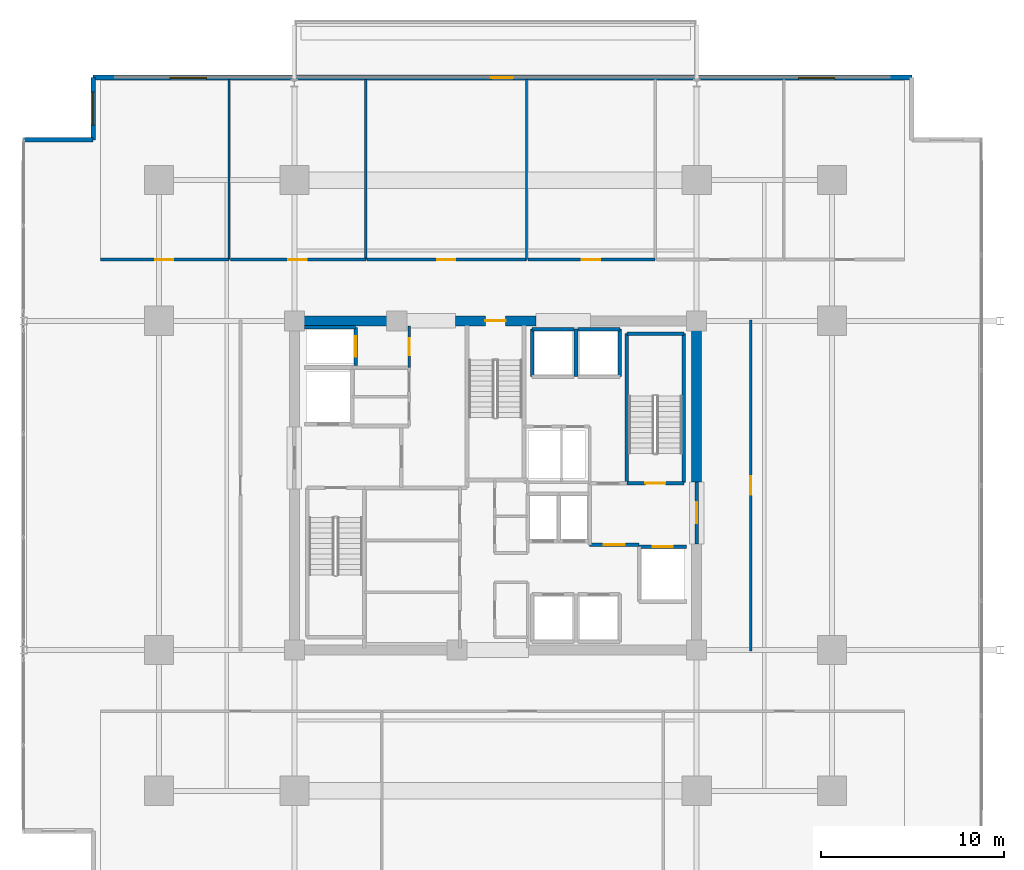
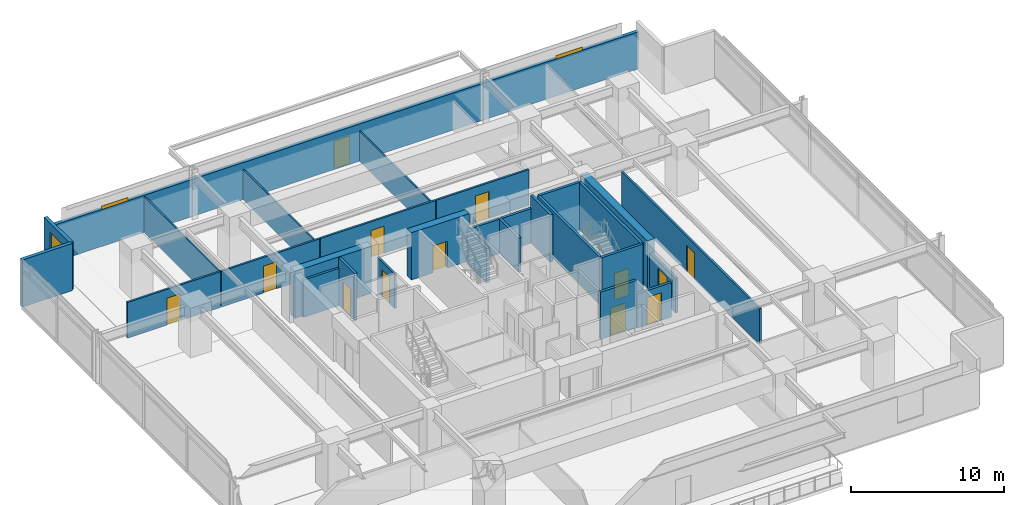
# One storey, part 17 of 23: 29 walls, 13 doors, 3 windows, 16 openings.
"""IFC4 building model written with IfcOpenShell, lengths in metres."""

from ifc_helpers import new_model, si_unit, direction, frame, frame_2d, origin, place, context, subcontext, project, spatial, rectangle, extrude, material, layer, layer_set, type_object, element, fill, save


model = new_model("IFC4")

# Units and contexts
model_context = context("Model", 3, precision=1e-05, world=origin(), true_north=direction((0.0, 1.0)))
body_context = subcontext(model_context, "Body", "Model", "MODEL_VIEW")
ifc_project = project(units=[si_unit("LENGTHUNIT", "METRE"), si_unit("AREAUNIT", "SQUARE_METRE"), si_unit("VOLUMEUNIT", "CUBIC_METRE"), si_unit("PLANEANGLEUNIT", "RADIAN"), si_unit("MASSUNIT", "GRAM", prefix="KILO")], contexts=[model_context])

# Site, building, storey
site_placement = place(None, origin())
site = spatial("IfcSite", under=ifc_project, at=site_placement, CompositionType="ELEMENT")
building_placement = place(site_placement, origin())
building = spatial("IfcBuilding", under=site, at=building_placement, Name="Kovane Verandah Tower", CompositionType="ELEMENT")
storey_placement = place(building_placement, frame((0.0, 0.0, 148.39990234375)))
storey = spatial("IfcBuildingStorey", under=building, at=storey_placement, Name="L34", CompositionType="ELEMENT", Elevation=148.39990234375)

# Wall, opening, door
ifc_material_1 = material(Name="Fire-Rated Gypsum Stud Partition", Category="gypsum")
ifc_layer_1 = layer(ifc_material_1, 0.14990234375)
ifc_layer_set_1 = layer_set([ifc_layer_1], Name="Fire-Rated Gypsum Stud Partition")
wall_type_1 = type_object("IfcWallType", Name="WL-COR-150", PredefinedType="PARTITIONING", material=ifc_layer_set_1)
wall_1_placement = place(storey_placement, frame((35.280029296875, 33.949951171875, 0.0), z_axis=(0.0, 0.0, 1.0), x_axis=(0.0, 1.0, 0.0)))
wall_1 = element("IfcWall", 1, at=wall_1_placement, inside=storey, type_object=wall_type_1, Name="L34 Goods Lift Lobby East Fire Partition", PredefinedType="PARTITIONING", context=body_context, shape_type="SweptSolid", body=[
    extrude(rectangle(XDim=2.27001953125, YDim=0.14990234375, at=frame_2d((1.135009765625, 0.0))), origin(), (0.0, 0.0, 1.0), 2.755126953125),
])
opening_1_placement = place(wall_1_placement, frame((0.659912109375, 0.0, 0.0)))
opening_1 = element("IfcOpeningElement", 2, at=opening_1_placement, cuts=wall_1, Name="Opening DR-L34-008", PredefinedType="OPENING", context=body_context, shape_type="SweptSolid", body=[
    extrude(rectangle(XDim=0.949951171875, YDim=2.14990234375, at=frame_2d((0.47509765625, 1.074951171875))), frame((0.0, 0.074951171875, 0.0), z_axis=(0.0, -1.0, 0.0), x_axis=(1.0, 0.0, 0.0)), (0.0, 0.0, 1.0), 0.14990234375),
])
ifc_material_2 = material(Name="Fire-Rated Steel Refuge and Lobby Door", Category="steel")
door_type_1 = type_object("IfcDoorType", Name="DR-FIRE-950", OperationType="SINGLE_SWING_LEFT", PredefinedType="DOOR", material=ifc_material_2)
door_1_placement = place(opening_1_placement, origin())
door_1 = element("IfcDoor", 3, at=door_1_placement, inside=storey, type_object=door_type_1, Name="L34 Goods Lift Lobby Fire Door", OperationType="SINGLE_SWING_LEFT", OverallHeight=2.14990234375, OverallWidth=0.949951171875, PredefinedType="DOOR", context=body_context, shape_type="SweptSolid", body=[
    extrude(rectangle(XDim=0.949951171875, YDim=2.14990234375, at=frame_2d((0.47509765625, 1.074951171875))), frame((0.0, 0.02490234375, 0.0), z_axis=(0.0, -1.0, 0.0), x_axis=(1.0, 0.0, 0.0)), (0.0, 0.0, 1.0), 0.050048828125),
])
fill(opening_1, door_1)

wall_2_placement = place(storey_placement, frame((18.394775390625, 39.85009765625, 0.0), z_axis=(0.0, 0.0, 1.0), x_axis=(1.0, 0.0, 0.0)))
wall_2 = element("IfcWall", 4, at=wall_2_placement, inside=storey, type_object=wall_type_1, Name="L34 Meeting Room N1 Corridor Partition", PredefinedType="PARTITIONING", context=body_context, shape_type="SweptSolid", body=[
    extrude(rectangle(XDim=7.034912109375, YDim=0.14990234375, at=frame_2d((3.517578125, 0.0))), origin(), (0.0, 0.0, 1.0), 2.85009765625),
])
opening_2_placement = place(wall_2_placement, frame((2.982421875, 0.0, 0.0)))
opening_2 = element("IfcOpeningElement", 5, at=opening_2_placement, cuts=wall_2, Name="Opening DR-L34-019", PredefinedType="OPENING", context=body_context, shape_type="SweptSolid", body=[
    extrude(rectangle(XDim=1.0, YDim=2.14990234375, at=frame_2d((0.5, 1.074951171875))), frame((0.0, 0.074951171875, 0.0), z_axis=(0.0, -1.0, 0.0), x_axis=(1.0, 0.0, 0.0)), (0.0, 0.0, 1.0), 0.14990234375),
])
ifc_material_3 = material(Name="FSC Spotted-Gum Timber Fire-Rated Office Door", Category="wood")
door_type_2 = type_object("IfcDoorType", Name="DR-OFF-1000", OperationType="SINGLE_SWING_LEFT", PredefinedType="DOOR", material=ifc_material_3)
door_2_placement = place(opening_2_placement, origin())
door_2 = element("IfcDoor", 6, at=door_2_placement, inside=storey, type_object=door_type_2, Name="L34 Meeting Room N1 Entrance Door", OperationType="SINGLE_SWING_LEFT", OverallHeight=2.14990234375, OverallWidth=1.0, PredefinedType="DOOR", context=body_context, shape_type="SweptSolid", body=[
    extrude(rectangle(XDim=1.0, YDim=2.14990234375, at=frame_2d((0.5, 1.074951171875))), frame((0.0, 0.02490234375, 0.0), z_axis=(0.0, -1.0, 0.0), x_axis=(1.0, 0.0, 0.0)), (0.0, 0.0, 1.0), 0.050048828125),
])
fill(opening_2, door_2)

wall_3_placement = place(storey_placement, frame((25.499755859375, 39.85009765625, 0.0), z_axis=(0.0, 0.0, 1.0), x_axis=(1.0, 0.0, 0.0)))
wall_3 = element("IfcWall", 7, at=wall_3_placement, inside=storey, type_object=wall_type_1, Name="L34 Focus Studio N2 Corridor Partition", PredefinedType="PARTITIONING", context=body_context, shape_type="SweptSolid", body=[
    extrude(rectangle(XDim=7.40478515625, YDim=0.14990234375, at=frame_2d((3.702392578125, 0.0))), origin(), (0.0, 0.0, 1.0), 2.85009765625),
])
opening_3_placement = place(wall_3_placement, frame((3.167236328125, 0.0, 0.0)))
opening_3 = element("IfcOpeningElement", 8, at=opening_3_placement, cuts=wall_3, Name="Opening DR-L34-020", PredefinedType="OPENING", context=body_context, shape_type="SweptSolid", body=[
    extrude(rectangle(XDim=1.0, YDim=2.14990234375, at=frame_2d((0.5, 1.074951171875))), frame((0.0, 0.074951171875, 0.0), z_axis=(0.0, -1.0, 0.0), x_axis=(1.0, 0.0, 0.0)), (0.0, 0.0, 1.0), 0.14990234375),
])
door_3_placement = place(opening_3_placement, origin())
door_3 = element("IfcDoor", 9, at=door_3_placement, inside=storey, type_object=door_type_2, Name="L34 Focus Studio N2 Entrance Door", OperationType="SINGLE_SWING_RIGHT", OverallHeight=2.14990234375, OverallWidth=1.0, PredefinedType="DOOR", context=body_context, shape_type="SweptSolid", body=[
    extrude(rectangle(XDim=1.0, YDim=2.14990234375, at=frame_2d((0.5, 1.074951171875))), frame((0.0, 0.02490234375, 0.0), z_axis=(0.0, -1.0, 0.0), x_axis=(1.0, 0.0, 0.0)), (0.0, 0.0, 1.0), 0.050048828125),
])
fill(opening_3, door_3)

wall_4_placement = place(storey_placement, frame((32.974609375, 39.85009765625, 0.0), z_axis=(0.0, 0.0, 1.0), x_axis=(1.0, 0.0, 0.0)))
wall_4 = element("IfcWall", 10, at=wall_4_placement, inside=storey, type_object=wall_type_1, Name="L34 Breakout Pantry N3 Corridor Partition", PredefinedType="PARTITIONING", context=body_context, shape_type="SweptSolid", body=[
    extrude(rectangle(XDim=8.7236328125, YDim=0.14990234375, at=frame_2d((4.36181640625, 0.0))), origin(), (0.0, 0.0, 1.0), 2.85009765625),
])
opening_4_placement = place(wall_4_placement, frame((3.826904296875, 0.0, 0.0)))
opening_4 = element("IfcOpeningElement", 11, at=opening_4_placement, cuts=wall_4, Name="Opening DR-L34-021", PredefinedType="OPENING", context=body_context, shape_type="SweptSolid", body=[
    extrude(rectangle(XDim=1.0, YDim=2.14990234375, at=frame_2d((0.5, 1.074951171875))), frame((0.0, 0.074951171875, 0.0), z_axis=(0.0, -1.0, 0.0), x_axis=(1.0, 0.0, 0.0)), (0.0, 0.0, 1.0), 0.14990234375),
])
door_4_placement = place(opening_4_placement, origin())
door_4 = element("IfcDoor", 12, at=door_4_placement, inside=storey, type_object=door_type_2, Name="L34 Breakout Pantry N3 Entrance Door", OperationType="SINGLE_SWING_LEFT", OverallHeight=2.14990234375, OverallWidth=1.0, PredefinedType="DOOR", context=body_context, shape_type="SweptSolid", body=[
    extrude(rectangle(XDim=1.0, YDim=2.14990234375, at=frame_2d((0.5, 1.074951171875))), frame((0.0, 0.02490234375, 0.0), z_axis=(0.0, -1.0, 0.0), x_axis=(1.0, 0.0, 0.0)), (0.0, 0.0, 1.0), 0.050048828125),
])
fill(opening_4, door_4)

wall_5_placement = place(storey_placement, frame((41.768310546875, 39.85009765625, 0.0), z_axis=(0.0, 0.0, 1.0), x_axis=(1.0, 0.0, 0.0)))
wall_5 = element("IfcWall", 13, at=wall_5_placement, inside=storey, type_object=wall_type_1, Name="L34 Collaboration Hub N4 Corridor Partition", PredefinedType="PARTITIONING", context=body_context, shape_type="SweptSolid", body=[
    extrude(rectangle(XDim=6.96484375, YDim=0.14990234375, at=frame_2d((3.482421875, 0.0))), origin(), (0.0, 0.0, 1.0), 2.85009765625),
])
opening_5_placement = place(wall_5_placement, frame((2.947509765625, 0.0, 0.0)))
opening_5 = element("IfcOpeningElement", 14, at=opening_5_placement, cuts=wall_5, Name="Opening DR-L34-022", PredefinedType="OPENING", context=body_context, shape_type="SweptSolid", body=[
    extrude(rectangle(XDim=1.0, YDim=2.14990234375, at=frame_2d((0.5, 1.074951171875))), frame((0.0, 0.074951171875, 0.0), z_axis=(0.0, -1.0, 0.0), x_axis=(1.0, 0.0, 0.0)), (0.0, 0.0, 1.0), 0.14990234375),
])
door_5_placement = place(opening_5_placement, origin())
door_5 = element("IfcDoor", 15, at=door_5_placement, inside=storey, type_object=door_type_2, Name="L34 Collaboration Hub N4 Entrance Door", OperationType="SINGLE_SWING_RIGHT", OverallHeight=2.14990234375, OverallWidth=1.0, PredefinedType="DOOR", context=body_context, shape_type="SweptSolid", body=[
    extrude(rectangle(XDim=1.0, YDim=2.14990234375, at=frame_2d((0.5, 1.074951171875))), frame((0.0, 0.02490234375, 0.0), z_axis=(0.0, -1.0, 0.0), x_axis=(1.0, 0.0, 0.0)), (0.0, 0.0, 1.0), 0.050048828125),
])
fill(opening_5, door_5)

wall_6_placement = place(storey_placement, frame((53.949951171875, 18.449951171875, 0.0), z_axis=(0.0, 0.0, 1.0), x_axis=(0.0, 1.0, 0.0)))
wall_6 = element("IfcWall", 16, at=wall_6_placement, inside=storey, type_object=wall_type_1, Name="L34 Breakout Pantry E1 Corridor Partition", PredefinedType="PARTITIONING", context=body_context, shape_type="SweptSolid", body=[
    extrude(rectangle(XDim=18.10009765625, YDim=0.14990234375, at=frame_2d((9.050048828125, 0.0))), origin(), (0.0, 0.0, 1.0), 2.85009765625),
])
opening_6_placement = place(wall_6_placement, frame((8.550048828125, 0.0, 0.0)))
opening_6 = element("IfcOpeningElement", 17, at=opening_6_placement, cuts=wall_6, Name="Opening DR-L34-013", PredefinedType="OPENING", context=body_context, shape_type="SweptSolid", body=[
    extrude(rectangle(XDim=1.0, YDim=2.14990234375, at=frame_2d((0.5, 1.074951171875))), frame((0.0, 0.074951171875, 0.0), z_axis=(0.0, -1.0, 0.0), x_axis=(1.0, 0.0, 0.0)), (0.0, 0.0, 1.0), 0.14990234375),
])
door_6_placement = place(opening_6_placement, origin())
door_6 = element("IfcDoor", 18, at=door_6_placement, inside=storey, type_object=door_type_2, Name="L34 Breakout Pantry E1 Entrance Door", OperationType="SINGLE_SWING_LEFT", OverallHeight=2.14990234375, OverallWidth=1.0, PredefinedType="DOOR", context=body_context, shape_type="SweptSolid", body=[
    extrude(rectangle(XDim=1.0, YDim=2.14990234375, at=frame_2d((0.5, 1.074951171875))), frame((0.0, 0.02490234375, 0.0), z_axis=(0.0, -1.0, 0.0), x_axis=(1.0, 0.0, 0.0)), (0.0, 0.0, 1.0), 0.050048828125),
])
fill(opening_6, door_6)

# Wall
ifc_material_4 = material(Name="Concrete C60/75", Category="concrete")
ifc_layer_2 = layer(ifc_material_4, 0.550048828125)
ifc_layer_set_2 = layer_set([ifc_layer_2], Name="Concrete C60/75")
wall_type_2 = type_object("IfcWallType", Name="WL-CORE-550", PredefinedType="SHEAR", material=ifc_layer_set_2)
wall_7_placement = place(storey_placement, frame((29.0, 36.5, 0.0), z_axis=(0.0, 0.0, 1.0), x_axis=(1.0, 0.0, 0.0)))
element("IfcWall", 19, at=wall_7_placement, inside=storey, type_object=wall_type_2, Name="L34 Core Shear Wall CN-1", PredefinedType="SHEAR", context=body_context, shape_type="SweptSolid", body=[
    extrude(rectangle(XDim=5.800048828125, YDim=0.550048828125, at=frame_2d((2.89990234375, 0.0))), origin(), (0.0, 0.0, 1.0), 3.775146484375),
])

# Wall, opening, door
wall_8_placement = place(storey_placement, frame((37.800048828125, 36.5, 0.0), z_axis=(0.0, 0.0, 1.0), x_axis=(1.0, 0.0, 0.0)))
wall_8 = element("IfcWall", 20, at=wall_8_placement, inside=storey, type_object=wall_type_2, Name="L34 Core Shear Wall CN-2", PredefinedType="SHEAR", context=body_context, shape_type="SweptSolid", body=[
    extrude(rectangle(XDim=4.39990234375, YDim=0.550048828125, at=frame_2d((2.199951171875, 0.0))), origin(), (0.0, 0.0, 1.0), 3.775146484375),
])
opening_7_placement = place(wall_8_placement, frame((1.64990234375, 0.0, 0.0)))
opening_7 = element("IfcOpeningElement", 21, at=opening_7_placement, cuts=wall_8, Name="Opening DR-L34-011", PredefinedType="OPENING", context=body_context, shape_type="SweptSolid", body=[
    extrude(rectangle(XDim=1.10009765625, YDim=2.14990234375, at=frame_2d((0.550048828125, 1.074951171875))), frame((0.0, 0.27490234375, 0.0), z_axis=(0.0, -1.0, 0.0), x_axis=(1.0, 0.0, 0.0)), (0.0, 0.0, 1.0), 0.550048828125),
])
ifc_material_5 = material(Name="Fire-Rated Steel Exit Door", Category="steel")
door_type_3 = type_object("IfcDoorType", Name="DR-STAIR-1100", OperationType="SINGLE_SWING_LEFT", PredefinedType="DOOR", material=ifc_material_5)
door_7_placement = place(opening_7_placement, origin())
door_7 = element("IfcDoor", 22, at=door_7_placement, inside=storey, type_object=door_type_3, Name="L34 ST-03 Fire Exit Stair Door", OperationType="SINGLE_SWING_LEFT", OverallHeight=2.14990234375, OverallWidth=1.10009765625, PredefinedType="DOOR", context=body_context, shape_type="SweptSolid", body=[
    extrude(rectangle(XDim=1.10009765625, YDim=2.14990234375, at=frame_2d((0.550048828125, 1.074951171875))), frame((0.0, 0.02490234375, 0.0), z_axis=(0.0, -1.0, 0.0), x_axis=(1.0, 0.0, 0.0)), (0.0, 0.0, 1.0), 0.050048828125),
])
fill(opening_7, door_7)

# Wall
wall_9_placement = place(storey_placement, frame((51.0, 27.699951171875, 0.0), z_axis=(0.0, 0.0, 1.0), x_axis=(0.0, 1.0, 0.0)))
element("IfcWall", 23, at=wall_9_placement, inside=storey, type_object=wall_type_2, Name="L34 Core Shear Wall CE-2", PredefinedType="SHEAR", context=body_context, shape_type="SweptSolid", body=[
    extrude(rectangle(XDim=8.800048828125, YDim=0.550048828125, at=frame_2d((4.39990234375, 0.0))), origin(), (0.0, 0.0, 1.0), 3.775146484375),
])

# Wall, opening, door
ifc_material_6 = material(Name="Concrete C45/55 Fire Wall", Category="concrete")
ifc_layer_3 = layer(ifc_material_6, 0.199951171875)
ifc_layer_set_3 = layer_set([ifc_layer_3], Name="Concrete C45/55 Fire Wall")
wall_type_3 = type_object("IfcWallType", Name="WL-FFL-200", PredefinedType="PARTITIONING", material=ifc_layer_set_3)
wall_10_placement = place(storey_placement, frame((45.14990234375, 24.25, 0.0), z_axis=(0.0, 0.0, 1.0), x_axis=(1.0, 0.0, 0.0)))
wall_10 = element("IfcWall", 24, at=wall_10_placement, inside=storey, type_object=wall_type_3, Name="W-L34-FFLE-S", PredefinedType="PARTITIONING", context=body_context, shape_type="SweptSolid", body=[
    extrude(rectangle(XDim=2.7001953125, YDim=0.199951171875, at=frame_2d((1.35009765625, 0.0))), origin(), (0.0, 0.0, 1.0), 3.775146484375),
])
opening_8_placement = place(wall_10_placement, frame((0.77490234375, 0.0, 0.0)))
opening_8 = element("IfcOpeningElement", 25, at=opening_8_placement, cuts=wall_10, Name="Opening DR-L34-003", PredefinedType="OPENING", context=body_context, shape_type="SweptSolid", body=[
    extrude(rectangle(XDim=1.14990234375, YDim=2.199951171875, at=frame_2d((0.574951171875, 1.10009765625))), frame((0.0, 0.10009765625, 0.0), z_axis=(0.0, -1.0, 0.0), x_axis=(1.0, 0.0, 0.0)), (0.0, 0.0, 1.0), 0.199951171875),
])
ifc_material_7 = material(Name="Smoke-Sealed Firefighting Lobby Door", Category="steel")
door_type_4 = type_object("IfcDoorType", Name="DR-FFL-1150", OperationType="SINGLE_SWING_LEFT", PredefinedType="DOOR", material=ifc_material_7)
door_8_placement = place(opening_8_placement, origin())
door_8 = element("IfcDoor", 26, at=door_8_placement, inside=storey, type_object=door_type_4, Name="L34 East Firefighting Lobby Inner Door", OperationType="SINGLE_SWING_RIGHT", OverallHeight=2.199951171875, OverallWidth=1.14990234375, PredefinedType="DOOR", context=body_context, shape_type="SweptSolid", body=[
    extrude(rectangle(XDim=1.14990234375, YDim=2.199951171875, at=frame_2d((0.574951171875, 1.10009765625))), frame((0.0, 0.02490234375, 0.0), z_axis=(0.0, -1.0, 0.0), x_axis=(1.0, 0.0, 0.0)), (0.0, 0.0, 1.0), 0.050048828125),
])
fill(opening_8, door_8)

wall_11_placement = place(storey_placement, frame((51.0, 24.300048828125, 0.0), z_axis=(0.0, 0.0, 1.0), x_axis=(0.0, 1.0, 0.0)))
wall_11 = element("IfcWall", 27, at=wall_11_placement, inside=storey, type_object=wall_type_3, Name="W-L34-FFLE-OUT", PredefinedType="PARTITIONING", context=body_context, shape_type="SweptSolid", body=[
    extrude(rectangle(XDim=3.39990234375, YDim=0.199951171875, at=frame_2d((1.699951171875, 0.0))), origin(), (0.0, 0.0, 1.0), 2.755126953125),
])
opening_9_placement = place(wall_11_placement, frame((1.125, 0.0, 0.0)))
opening_9 = element("IfcOpeningElement", 28, at=opening_9_placement, cuts=wall_11, Name="Opening DR-L34-005", PredefinedType="OPENING", context=body_context, shape_type="SweptSolid", body=[
    extrude(rectangle(XDim=1.14990234375, YDim=2.199951171875, at=frame_2d((0.574951171875, 1.10009765625))), frame((0.0, 0.10009765625, 0.0), z_axis=(0.0, -1.0, 0.0), x_axis=(1.0, 0.0, 0.0)), (0.0, 0.0, 1.0), 0.199951171875),
])
door_9_placement = place(opening_9_placement, origin())
door_9 = element("IfcDoor", 29, at=door_9_placement, inside=storey, type_object=door_type_4, Name="L34 East Firefighting Lobby Corridor Door", OperationType="SINGLE_SWING_LEFT", OverallHeight=2.199951171875, OverallWidth=1.14990234375, PredefinedType="DOOR", context=body_context, shape_type="SweptSolid", body=[
    extrude(rectangle(XDim=1.14990234375, YDim=2.199951171875, at=frame_2d((0.574951171875, 1.10009765625))), frame((0.0, 0.02490234375, 0.0), z_axis=(0.0, -1.0, 0.0), x_axis=(1.0, 0.0, 0.0)), (0.0, 0.0, 1.0), 0.050048828125),
])
fill(opening_9, door_9)

ifc_material_8 = material(Name="Concrete C45/55 Lift Shaft Wall", Category="concrete")
ifc_layer_4 = layer(ifc_material_8, 0.199951171875)
ifc_layer_set_4 = layer_set([ifc_layer_4], Name="Concrete C45/55 Lift Shaft Wall")
wall_type_4 = type_object("IfcWallType", Name="WL-LIFT-200", PredefinedType="SOLIDWALL", material=ifc_layer_set_4)
wall_12_placement = place(storey_placement, frame((50.449951171875, 24.14990234375, 0.0), z_axis=(0.0, 0.0, 1.0), x_axis=(-1.0, 0.0, 0.0)))
wall_12 = element("IfcWall", 30, at=wall_12_placement, inside=storey, type_object=wall_type_4, Name="L34 Lift FL-02 N Shaft Wall", PredefinedType="SOLIDWALL", context=body_context, shape_type="SweptSolid", body=[
    extrude(rectangle(XDim=2.599853515625, YDim=0.199951171875, at=frame_2d((1.2998046875, 0.0))), origin(), (0.0, 0.0, 1.0), 2.755126953125),
])
opening_10_placement = place(wall_12_placement, frame((0.75, 0.0, 0.0)))
opening_10 = element("IfcOpeningElement", 31, at=opening_10_placement, cuts=wall_12, Name="Opening LD-L34-002", PredefinedType="OPENING", context=body_context, shape_type="SweptSolid", body=[
    extrude(rectangle(XDim=1.10009765625, YDim=2.199951171875, at=frame_2d((0.550048828125, 1.10009765625))), frame((0.0, 0.10009765625, 0.0), z_axis=(0.0, -1.0, 0.0), x_axis=(1.0, 0.0, 0.0)), (0.0, 0.0, 1.0), 0.199951171875),
])
ifc_material_9 = material(Name="Brushed Stainless Steel Sliding Lift Landing Door", Category="steel")
door_type_5 = type_object("IfcDoorType", Name="DR-LIFT-1100", OperationType="SLIDING_TO_RIGHT", PredefinedType="DOOR", material=ifc_material_9)
door_10_placement = place(opening_10_placement, origin())
door_10 = element("IfcDoor", 32, at=door_10_placement, inside=storey, type_object=door_type_5, Name="L34 Lift FL-02 Sliding Landing Door", OperationType="SLIDING_TO_RIGHT", OverallHeight=2.199951171875, OverallWidth=1.10009765625, PredefinedType="DOOR", context=body_context, shape_type="SweptSolid", body=[
    extrude(rectangle(XDim=1.10009765625, YDim=2.199951171875, at=frame_2d((0.550048828125, 1.10009765625))), frame((0.0, 0.02490234375, 0.0), z_axis=(0.0, -1.0, 0.0), x_axis=(1.0, 0.0, 0.0)), (0.0, 0.0, 1.0), 0.050048828125),
])
fill(opening_10, door_10)

# Wall
wall_13_placement = place(storey_placement, frame((32.35009765625, 36.14990234375, 0.0), z_axis=(0.0, 0.0, 1.0), x_axis=(-1.0, 0.0, 0.0)))
element("IfcWall", 33, at=wall_13_placement, inside=storey, type_object=wall_type_4, Name="L34 Lift GL-01 N Shaft Wall", PredefinedType="SOLIDWALL", context=body_context, shape_type="SweptSolid", body=[
    extrude(rectangle(XDim=2.800048828125, YDim=0.199951171875, at=frame_2d((1.39990234375, 0.0))), origin(), (0.0, 0.0, 1.0), 2.9853515625),
])

# Wall, opening, door
wall_14_placement = place(storey_placement, frame((32.35009765625, 34.050048828125, 0.0), z_axis=(0.0, 0.0, 1.0), x_axis=(0.0, 1.0, 0.0)))
wall_14 = element("IfcWall", 34, at=wall_14_placement, inside=storey, type_object=wall_type_4, Name="L34 Lift GL-01 E Shaft Wall", PredefinedType="SOLIDWALL", context=body_context, shape_type="SweptSolid", body=[
    extrude(rectangle(XDim=2.099853515625, YDim=0.199951171875, at=frame_2d((1.0498046875, 0.0))), origin(), (0.0, 0.0, 1.0), 3.775146484375),
])
opening_11_placement = place(wall_14_placement, frame((0.5, 0.0, 0.0)))
opening_11 = element("IfcOpeningElement", 35, at=opening_11_placement, cuts=wall_14, Name="Opening LD-L34-003", PredefinedType="OPENING", context=body_context, shape_type="SweptSolid", body=[
    extrude(rectangle(XDim=1.10009765625, YDim=2.199951171875, at=frame_2d((0.550048828125, 1.10009765625))), frame((0.0, 0.10009765625, 0.0), z_axis=(0.0, -1.0, 0.0), x_axis=(1.0, 0.0, 0.0)), (0.0, 0.0, 1.0), 0.199951171875),
])
door_11_placement = place(opening_11_placement, origin())
door_11 = element("IfcDoor", 36, at=door_11_placement, inside=storey, type_object=door_type_5, Name="L34 Lift GL-01 Sliding Landing Door", OperationType="SLIDING_TO_RIGHT", OverallHeight=2.199951171875, OverallWidth=1.10009765625, PredefinedType="DOOR", context=body_context, shape_type="SweptSolid", body=[
    extrude(rectangle(XDim=1.10009765625, YDim=2.199951171875, at=frame_2d((0.550048828125, 1.10009765625))), frame((0.0, 0.02490234375, 0.0), z_axis=(0.0, -1.0, 0.0), x_axis=(1.0, 0.0, 0.0)), (0.0, 0.0, 1.0), 0.050048828125),
])
fill(opening_11, door_11)

# Walls
wall_15_placement = place(storey_placement, frame((44.300048828125, 36.050048828125, 0.0), z_axis=(0.0, 0.0, 1.0), x_axis=(-1.0, 0.0, 0.0)))
element("IfcWall", 37, at=wall_15_placement, inside=storey, type_object=wall_type_4, Name="L34 Lift SL-01 N Shaft Wall", PredefinedType="SOLIDWALL", context=body_context, shape_type="SweptSolid", body=[
    extrude(rectangle(XDim=2.300048828125, YDim=0.199951171875, at=frame_2d((1.14990234375, 0.0))), origin(), (0.0, 0.0, 1.0), 2.755126953125),
])
for number, where, z_axis, x_axis, name in (
    (38, (42.0, 36.050048828125, 0.0), (0.0, 0.0, 1.0), (0.0, -1.0, 0.0), "L34 Lift SL-01 W Shaft Wall"),
    (39, (44.39990234375, 33.449951171875, 0.0), (0.0, 0.0, 1.0), (0.0, 1.0, 0.0), "L34 Lift OL-01 and SL-01 Shared Shaft Wall"),
):
    element("IfcWall", number, at=place(storey_placement, frame(where, z_axis=z_axis, x_axis=x_axis)), inside=storey, type_object=wall_type_4, Name=name, PredefinedType="SOLIDWALL", context=body_context, shape_type="SweptSolid", body=[
        extrude(rectangle(XDim=2.60009765625, YDim=0.199951171875, at=frame_2d((1.300048828125, 0.0))), origin(), (0.0, 0.0, 1.0), 2.755126953125),
    ])
wall_16_placement = place(storey_placement, frame((46.800048828125, 36.050048828125, 0.0), z_axis=(0.0, 0.0, 1.0), x_axis=(-1.0, 0.0, 0.0)))
element("IfcWall", 40, at=wall_16_placement, inside=storey, type_object=wall_type_4, Name="L34 Lift OL-01 N Shaft Wall", PredefinedType="SOLIDWALL", context=body_context, shape_type="SweptSolid", body=[
    extrude(rectangle(XDim=2.300048828125, YDim=0.199951171875, at=frame_2d((1.14990234375, 0.0))), origin(), (0.0, 0.0, 1.0), 2.755126953125),
])
wall_17_placement = place(storey_placement, frame((46.800048828125, 33.449951171875, 0.0), z_axis=(0.0, 0.0, 1.0), x_axis=(0.0, 1.0, 0.0)))
element("IfcWall", 41, at=wall_17_placement, inside=storey, type_object=wall_type_4, Name="L34 Lift OL-01 E Shaft Wall", PredefinedType="SOLIDWALL", context=body_context, shape_type="SweptSolid", body=[
    extrude(rectangle(XDim=2.60009765625, YDim=0.199951171875, at=frame_2d((1.300048828125, 0.0))), origin(), (0.0, 0.0, 1.0), 3.775146484375),
])
ifc_material_10 = material(Name="Acoustic Fire-Rated Gypsum Partition", Category="gypsum")
ifc_layer_5 = layer(ifc_material_10, 0.1201171875)
ifc_layer_set_5 = layer_set([ifc_layer_5], Name="Acoustic Fire-Rated Gypsum Partition")
wall_type_5 = type_object("IfcWallType", Name="WL-PART-120", PredefinedType="PARTITIONING", material=ifc_layer_set_5)
wall_18_placement = place(storey_placement, frame((25.4296875, 39.85009765625, 0.0), z_axis=(0.0, 0.0, 1.0), x_axis=(0.0, 1.0, 0.0)))
element("IfcWall", 42, at=wall_18_placement, inside=storey, type_object=wall_type_5, Name="L34 Meeting Room N1 Dividing Partition", PredefinedType="PARTITIONING", context=body_context, shape_type="SweptSolid", body=[
    extrude(rectangle(XDim=9.853515625, YDim=0.1201171875, at=frame_2d((4.9267578125, 0.0))), origin(), (0.0, 0.0, 1.0), 2.85009765625),
])
for number, where, z_axis, x_axis, name in (
    (43, (32.904541015625, 39.85009765625, 0.0), (0.0, 0.0, 1.0), (0.0, 1.0, 0.0), "L34 Focus Studio N2 Dividing Partition"),
    (44, (41.6982421875, 39.85009765625, 0.0), (0.0, 0.0, 1.0), (0.0, 1.0, 0.0), "L34 Breakout Pantry N3 Dividing Partition"),
):
    element("IfcWall", number, at=place(storey_placement, frame(where, z_axis=z_axis, x_axis=x_axis)), inside=storey, type_object=wall_type_5, Name=name, PredefinedType="PARTITIONING", context=body_context, shape_type="SweptSolid", body=[
        extrude(rectangle(XDim=9.853515625, YDim=0.1201171875, at=frame_2d((4.9267578125, 0.0))), origin(), (0.0, 0.0, 1.0), 2.405029296875),
    ])
ifc_material_11 = material(Name="Concrete C45/55", Category="concrete")
ifc_layer_6 = layer(ifc_material_11, 0.199951171875)
ifc_layer_set_6 = layer_set([ifc_layer_6], Name="Concrete C45/55")
wall_type_6 = type_object("IfcWallType", Name="WL-SHAFT-200", PredefinedType="SOLIDWALL", material=ifc_layer_set_6)
wall_19_placement = place(storey_placement, frame((50.300048828125, 27.64990234375, 0.0), z_axis=(0.0, 0.0, 1.0), x_axis=(0.0, 1.0, 0.0)))
element("IfcWall", 45, at=wall_19_placement, inside=storey, type_object=wall_type_6, Name="W-L34-ST02-E", PredefinedType="SOLIDWALL", context=body_context, shape_type="SweptSolid", body=[
    extrude(rectangle(XDim=8.150146484375, YDim=0.199951171875, at=frame_2d((4.0751953125, 0.0))), origin(), (0.0, 0.0, 1.0), 3.775146484375),
])
wall_20_placement = place(storey_placement, frame((47.179931640625, 35.800048828125, 0.0), z_axis=(0.0, 0.0, 1.0), x_axis=(1.0, 0.0, 0.0)))
element("IfcWall", 46, at=wall_20_placement, inside=storey, type_object=wall_type_6, Name="W-L34-ST02-N", PredefinedType="SOLIDWALL", context=body_context, shape_type="SweptSolid", body=[
    extrude(rectangle(XDim=3.1201171875, YDim=0.199951171875, at=frame_2d((1.56005859375, 0.0))), origin(), (0.0, 0.0, 1.0), 3.775146484375),
])
wall_21_placement = place(storey_placement, frame((47.179931640625, 27.6201171875, 0.0), z_axis=(0.0, 0.0, 1.0), x_axis=(0.0, 1.0, 0.0)))
element("IfcWall", 47, at=wall_21_placement, inside=storey, type_object=wall_type_6, Name="W-L34-ST02-W", PredefinedType="SOLIDWALL", context=body_context, shape_type="SweptSolid", body=[
    extrude(rectangle(XDim=8.179931640625, YDim=0.199951171875, at=frame_2d((4.08984375, 0.0))), origin(), (0.0, 0.0, 1.0), 3.775146484375),
])

# Wall, opening, door
wall_22_placement = place(storey_placement, frame((47.179931640625, 27.6201171875, 0.0), z_axis=(0.0, 0.0, 1.0), x_axis=(1.0, 0.0, 0.0)))
wall_22 = element("IfcWall", 48, at=wall_22_placement, inside=storey, type_object=wall_type_6, Name="W-L34-ST02-S", PredefinedType="SOLIDWALL", context=body_context, shape_type="SweptSolid", body=[
    extrude(rectangle(XDim=3.1201171875, YDim=0.199951171875, at=frame_2d((1.56005859375, 0.0))), origin(), (0.0, 0.0, 1.0), 3.775146484375),
])
opening_12_placement = place(wall_22_placement, frame((1.010009765625, 0.0, 0.0)))
opening_12 = element("IfcOpeningElement", 49, at=opening_12_placement, cuts=wall_22, Name="Opening DR-L34-010", PredefinedType="OPENING", context=body_context, shape_type="SweptSolid", body=[
    extrude(rectangle(XDim=1.10009765625, YDim=2.14990234375, at=frame_2d((0.550048828125, 1.074951171875))), frame((0.0, 0.10009765625, 0.0), z_axis=(0.0, -1.0, 0.0), x_axis=(1.0, 0.0, 0.0)), (0.0, 0.0, 1.0), 0.199951171875),
])
door_12_placement = place(opening_12_placement, origin())
door_12 = element("IfcDoor", 50, at=door_12_placement, inside=storey, type_object=door_type_3, Name="L34 ST-02 Fire Exit Stair Door", OperationType="SINGLE_SWING_RIGHT", OverallHeight=2.14990234375, OverallWidth=1.10009765625, PredefinedType="DOOR", context=body_context, shape_type="SweptSolid", body=[
    extrude(rectangle(XDim=1.10009765625, YDim=2.14990234375, at=frame_2d((0.550048828125, 1.074951171875))), frame((0.0, 0.02490234375, 0.0), z_axis=(0.0, -1.0, 0.0), x_axis=(1.0, 0.0, 0.0)), (0.0, 0.0, 1.0), 0.050048828125),
])
fill(opening_12, door_12)

# Wall, openings, door, windows
ifc_material_12 = material(Name="Concrete C45/55 Insulated Spandrel Wall", Category="concrete")
ifc_layer_7 = layer(ifc_material_12, 0.260009765625)
ifc_layer_set_7 = layer_set([ifc_layer_7], Name="Concrete C45/55 Insulated Spandrel Wall")
wall_type_7 = type_object("IfcWallType", Name="WL-SPANDREL-260", PredefinedType="PARAPET", material=ifc_layer_set_7)
wall_23_placement = place(storey_placement, frame((62.763427734375, 49.8037109375, 0.0), z_axis=(0.0, 0.0, 1.0), x_axis=(-1.0, 0.0, 0.0)))
wall_23 = element("IfcWall", 51, at=wall_23_placement, inside=storey, type_object=wall_type_7, Name="L34 N Verandah Access Facade Wall", PredefinedType="PARAPET", context=body_context, shape_type="SweptSolid", body=[
    extrude(rectangle(XDim=44.7685546875, YDim=0.260009765625, at=frame_2d((22.38427734375, 0.0))), origin(), (0.0, 0.0, 1.0), 2.97021484375),
])
opening_13_placement = place(wall_23_placement, frame((4.199951171875, 0.0, 0.85009765625)))
opening_13 = element("IfcOpeningElement", 52, at=opening_13_placement, cuts=wall_23, Name="Opening W-04", PredefinedType="OPENING", context=body_context, shape_type="SweptSolid", body=[
    extrude(rectangle(XDim=2.0, YDim=2.300048828125, at=frame_2d((1.0, 1.14990234375))), frame((0.0, 0.1298828125, 0.0), z_axis=(0.0, -1.0, 0.0), x_axis=(1.0, 0.0, 0.0)), (0.0, 0.0, 1.0), 0.260009765625),
])
opening_14_placement = place(wall_23_placement, frame((21.784423828125, 0.0, 0.0)))
opening_14 = element("IfcOpeningElement", 53, at=opening_14_placement, cuts=wall_23, Name="Opening DR-L34-001", PredefinedType="OPENING", context=body_context, shape_type="SweptSolid", body=[
    extrude(rectangle(XDim=1.199951171875, YDim=2.199951171875, at=frame_2d((0.60009765625, 1.10009765625))), frame((0.0, 0.1298828125, 0.0), z_axis=(0.0, -1.0, 0.0), x_axis=(1.0, 0.0, 0.0)), (0.0, 0.0, 1.0), 0.260009765625),
])
opening_15_placement = place(wall_23_placement, frame((38.568603515625, 0.0, 0.85009765625)))
opening_15 = element("IfcOpeningElement", 54, at=opening_15_placement, cuts=wall_23, Name="Opening W-04", PredefinedType="OPENING", context=body_context, shape_type="SweptSolid", body=[
    extrude(rectangle(XDim=2.0, YDim=2.300048828125, at=frame_2d((1.0, 1.14990234375))), frame((0.0, 0.1298828125, 0.0), z_axis=(0.0, -1.0, 0.0), x_axis=(1.0, 0.0, 0.0)), (0.0, 0.0, 1.0), 0.260009765625),
])
ifc_material_13 = material(Name="Cyclone-Rated Glazed Balcony Leaf Door", Category="aluminium")
door_type_6 = type_object("IfcDoorType", Name="DR-BAL-1200x2200", OperationType="SINGLE_SWING_LEFT", PredefinedType="DOOR", material=ifc_material_13)
door_13_placement = place(opening_14_placement, origin())
door_13 = element("IfcDoor", 55, at=door_13_placement, inside=storey, type_object=door_type_6, Name="L34 N Planted Balcony Access Door", OperationType="SINGLE_SWING_LEFT", OverallHeight=2.199951171875, OverallWidth=1.199951171875, PredefinedType="DOOR", context=body_context, shape_type="SweptSolid", body=[
    extrude(rectangle(XDim=1.199951171875, YDim=2.199951171875, at=frame_2d((0.60009765625, 1.10009765625))), frame((0.0, 0.02490234375, 0.0), z_axis=(0.0, -1.0, 0.0), x_axis=(1.0, 0.0, 0.0)), (0.0, 0.0, 1.0), 0.050048828125),
])
fill(opening_14, door_13)
ifc_material_14 = material(Name="Clear Low-E Laminated Double Glazing in Anodised Frame", Category="glass")
window_type_1 = type_object("IfcWindowType", Name="WN-FIXED-2000x2300", PartitioningType="SINGLE_PANEL", PredefinedType="WINDOW", material=ifc_material_14)
window_1_placement = place(opening_13_placement, origin())
window_1 = element("IfcWindow", 56, at=window_1_placement, inside=storey, type_object=window_type_1, Name="L34 N Verandah View Window 1", OverallHeight=2.300048828125, OverallWidth=2.0, PartitioningType="SINGLE_PANEL", PredefinedType="WINDOW", context=body_context, shape_type="SweptSolid", body=[
    extrude(rectangle(XDim=2.0, YDim=2.300048828125, at=frame_2d((1.0, 1.14990234375))), frame((0.0, 0.030029296875, 0.0), z_axis=(0.0, -1.0, 0.0), x_axis=(1.0, 0.0, 0.0)), (0.0, 0.0, 1.0), 0.06005859375),
])
fill(opening_13, window_1)
window_2_placement = place(opening_15_placement, origin())
window_2 = element("IfcWindow", 57, at=window_2_placement, inside=storey, type_object=window_type_1, Name="L34 N Verandah View Window 2", OverallHeight=2.300048828125, OverallWidth=2.0, PartitioningType="SINGLE_PANEL", PredefinedType="WINDOW", context=body_context, shape_type="SweptSolid", body=[
    extrude(rectangle(XDim=2.0, YDim=2.300048828125, at=frame_2d((1.0, 1.14990234375))), frame((0.0, 0.030029296875, 0.0), z_axis=(0.0, -1.0, 0.0), x_axis=(1.0, 0.0, 0.0)), (0.0, 0.0, 1.0), 0.06005859375),
])
fill(opening_15, window_2)

# Wall, opening, window
wall_24_placement = place(storey_placement, frame((17.994873046875, 49.8037109375, 0.0), z_axis=(0.0, 0.0, 1.0), x_axis=(0.0, -1.0, 0.0)))
wall_24 = element("IfcWall", 58, at=wall_24_placement, inside=storey, type_object=wall_type_7, Name="L34 NW Notch Cheek Wall 1", PredefinedType="PARAPET", context=body_context, shape_type="SweptSolid", body=[
    extrude(rectangle(XDim=3.400146484375, YDim=0.260009765625, at=frame_2d((1.7001953125, 0.0))), origin(), (0.0, 0.0, 1.0), 3.775146484375),
])
opening_16_placement = place(wall_24_placement, frame((0.800048828125, 0.0, 0.85009765625)))
opening_16 = element("IfcOpeningElement", 59, at=opening_16_placement, cuts=wall_24, Name="Opening W-03", PredefinedType="OPENING", context=body_context, shape_type="SweptSolid", body=[
    extrude(rectangle(XDim=1.800048828125, YDim=2.199951171875, at=frame_2d((0.89990234375, 1.10009765625))), frame((0.0, 0.1298828125, 0.0), z_axis=(0.0, -1.0, 0.0), x_axis=(1.0, 0.0, 0.0)), (0.0, 0.0, 1.0), 0.260009765625),
])
window_type_2 = type_object("IfcWindowType", Name="WN-NOTCH-1800x2200", PartitioningType="SINGLE_PANEL", PredefinedType="WINDOW", material=ifc_material_14)
window_3_placement = place(opening_16_placement, origin())
window_3 = element("IfcWindow", 60, at=window_3_placement, inside=storey, type_object=window_type_2, Name="L34 NW Re-Entrant Corner Operable Window", OverallHeight=2.199951171875, OverallWidth=1.800048828125, PartitioningType="SINGLE_PANEL", PredefinedType="WINDOW", context=body_context, shape_type="SweptSolid", body=[
    extrude(rectangle(XDim=1.800048828125, YDim=2.199951171875, at=frame_2d((0.89990234375, 1.10009765625))), frame((0.0, 0.030029296875, 0.0), z_axis=(0.0, -1.0, 0.0), x_axis=(1.0, 0.0, 0.0)), (0.0, 0.0, 1.0), 0.06005859375),
])
fill(opening_16, window_3)

# Wall
wall_25_placement = place(storey_placement, frame((17.994873046875, 46.403564453125, 0.0), z_axis=(0.0, 0.0, 1.0), x_axis=(-1.0, 0.0, 0.0)))
element("IfcWall", 61, at=wall_25_placement, inside=storey, type_object=wall_type_7, Name="L34 NW Notch Cheek Wall 2", PredefinedType="PARAPET", context=body_context, shape_type="SweptSolid", body=[
    extrude(rectangle(XDim=3.800048828125, YDim=0.260009765625, at=frame_2d((1.89990234375, 0.0))), origin(), (0.0, 0.0, 1.0), 3.775146484375),
])

save(model, "model.ifc")
